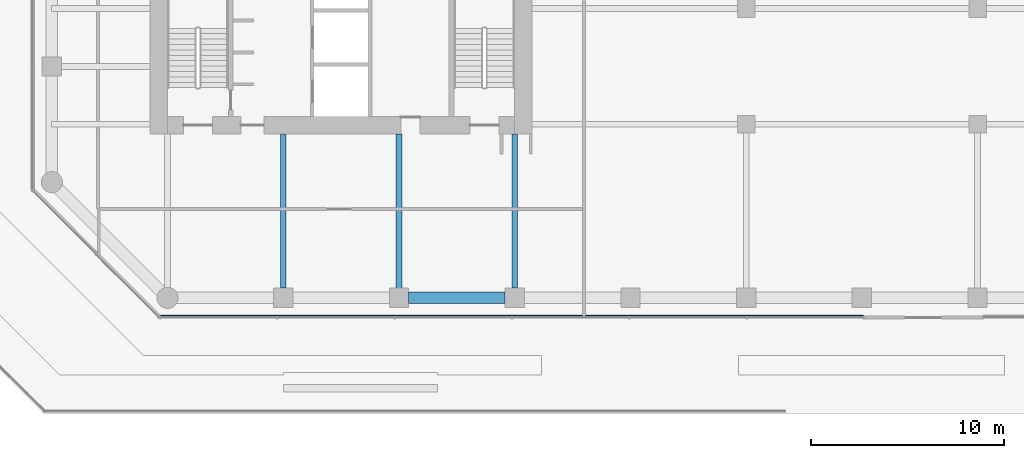
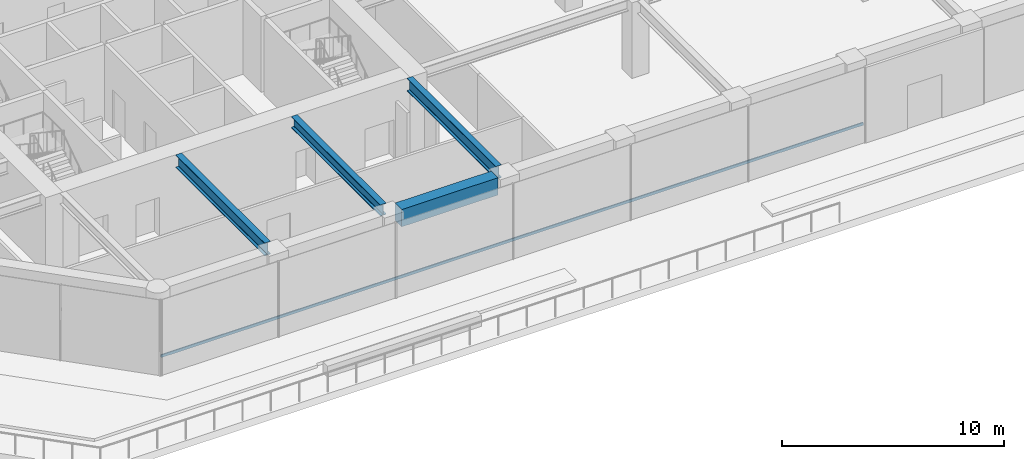
# One storey, part 3 of 31: 4 beams, 1 member, 1 element without a shape of its own.
"""IFC4 building model written with IfcOpenShell, lengths in metres."""

from ifc_helpers import new_model, si_unit, direction, frame, origin, origin_2d, place, context, subcontext, project, spatial, rectangle, i_section, extrude, material, layer, layer_set, material_profile, profile_set, type_object, element, aggregate, save


model = new_model("IFC4")

# Units and contexts
model_context = context("Model", 3, precision=1e-05, world=origin(), true_north=direction((0.0, 1.0)))
body_context = subcontext(model_context, "Body", "Model", "MODEL_VIEW")
ifc_project = project(units=[si_unit("LENGTHUNIT", "METRE"), si_unit("AREAUNIT", "SQUARE_METRE"), si_unit("VOLUMEUNIT", "CUBIC_METRE"), si_unit("PLANEANGLEUNIT", "RADIAN"), si_unit("MASSUNIT", "GRAM", prefix="KILO")], contexts=[model_context])

# Site, building, storey
site_placement = place(None, origin())
site = spatial("IfcSite", under=ifc_project, at=site_placement, CompositionType="ELEMENT")
building_placement = place(site_placement, origin())
building = spatial("IfcBuilding", under=site, at=building_placement, Name="Welwitschia Terrace Campus", CompositionType="ELEMENT")
storey_placement = place(building_placement, frame((0.0, 0.0, 11.0)))
storey = spatial("IfcBuildingStorey", under=building, at=storey_placement, Name="L02", CompositionType="ELEMENT", Elevation=11.0)

# Beams
ifc_material_1 = material(Name="Steel S355", Category="steel")
ifc_material_profile_1 = material_profile(ifc_material_1, i_section(OverallWidth=0.304931640625, OverallDepth=0.6201171875, WebThickness=0.02099609375, FlangeThickness=0.0400390625, FilletRadius=0.027099609375, at=origin_2d()))
ifc_profile_set_1 = profile_set([ifc_material_profile_1], Name="Steel S355")
beam_type_1 = type_object("IfcBeamType", Name="Interior girder HE 600 M", PredefinedType="BEAM", material=ifc_profile_set_1)
beam_1_placement = place(storey_placement, frame((18.0, -3.509521484375, 3.840087890625), z_axis=(0.0, 1.0, 0.0), x_axis=(-1.0, 0.0, 0.0)))
element("IfcBeam", 1, at=beam_1_placement, inside=storey, type_object=beam_type_1, Name="Girder GB1", PredefinedType="BEAM", context=body_context, shape_type="SweptSolid", body=[
    extrude(i_section(OverallWidth=0.304931640625, OverallDepth=0.6201171875, WebThickness=0.02099609375, FlangeThickness=0.0400390625, FilletRadius=0.027099609375, at=origin_2d()), origin(), (0.0, 0.0, 1.0), 8.008544921875),
])
ifc_material_2 = material(Name="Steel S355", Category="steel")
ifc_material_profile_2 = material_profile(ifc_material_2, i_section(OverallWidth=0.300048828125, OverallDepth=0.699951171875, WebThickness=0.01708984375, FlangeThickness=0.031982421875, FilletRadius=0.027099609375, at=origin_2d()))
ifc_profile_set_2 = profile_set([ifc_material_profile_2], Name="Steel S355")
beam_type_2 = type_object("IfcBeamType", Name="Primary beam HE 700 B", PredefinedType="BEAM", material=ifc_profile_set_2)
for number, where, z_axis, x_axis, name in (
    (2, (12.0, -3.49951171875, 3.800048828125), (0.0, 1.0, 0.0), (-1.0, 0.0, 0.0), "Primary beam PB1"),
    (3, (24.0, -3.49951171875, 3.800048828125), (0.0, 1.0, 0.0), (-1.0, 0.0, 0.0), "Primary beam PB1"),
):
    element("IfcBeam", number, at=place(storey_placement, frame(where, z_axis=z_axis, x_axis=x_axis)), inside=storey, type_object=beam_type_2, Name=name, PredefinedType="BEAM", context=body_context, shape_type="SweptSolid", body=[
        extrude(i_section(OverallWidth=0.300048828125, OverallDepth=0.699951171875, WebThickness=0.01708984375, FlangeThickness=0.031982421875, FilletRadius=0.027099609375, at=origin_2d()), origin(), (0.0, 0.0, 1.0), 7.99951171875),
    ])
ifc_material_3 = material(Name="Concrete C60/75", Category="concrete")
ifc_material_profile_3 = material_profile(ifc_material_3, rectangle(XDim=0.60009765625, YDim=0.949951171875, at=origin_2d()))
ifc_profile_set_3 = profile_set([ifc_material_profile_3], Name="Concrete C60/75")
beam_type_3 = type_object("IfcBeamType", Name="Ring spandrel 600x950", PredefinedType="SPANDREL", material=ifc_profile_set_3)
beam_2_placement = place(storey_placement, frame((18.50048828125, -4.0, 3.675048828125), z_axis=(1.0, 0.0, 0.0), x_axis=(0.0, 1.0, 0.0)))
element("IfcBeam", 4, at=beam_2_placement, inside=storey, type_object=beam_type_3, Name="Spandrel SP1", PredefinedType="SPANDREL", context=body_context, shape_type="SweptSolid", body=[
    extrude(rectangle(XDim=0.60009765625, YDim=0.949951171875, at=origin_2d()), origin(), (0.0, 0.0, 1.0), 4.9990234375),
])

# Curtain wall, member
ifc_material_4 = material(Name="Bronze anodised aluminium", Category="aluminium")
ifc_layer = layer(ifc_material_4, 0.1201171875)
ifc_layer_set = layer_set([ifc_layer], Name="Bronze anodised aluminium")
curtain_wall_type = type_object("IfcCurtainWallType", Name="Curtain wall CW2 tower 6000", PredefinedType="NOTDEFINED", material=ifc_layer_set)
curtain_wall_placement = place(storey_placement, origin())
curtain_wall = element("IfcCurtainWall", 5, at=curtain_wall_placement, inside=storey, type_object=curtain_wall_type, Name="CW L02.1.0", PredefinedType="NOTDEFINED")
ifc_material_5 = material(Name="Bronze anodised aluminium", Category="aluminium")
ifc_material_profile_4 = material_profile(ifc_material_5, rectangle(XDim=0.06005859375, YDim=0.14990234375, at=origin_2d()))
ifc_profile_set_4 = profile_set([ifc_material_profile_4], Name="Bronze anodised aluminium")
member_type = type_object("IfcMemberType", Name="Transom 60x150", PredefinedType="USERDEFINED", material=ifc_profile_set_4)
member_placement = place(storey_placement, frame((5.637451171875, -4.929931640625, 1.0), z_axis=(1.0, 0.0, 0.0), x_axis=(0.0, 1.0, 0.0)))
member = element("IfcMember", 6, at=member_placement, type_object=member_type, Name="Transom L02.1.0", ObjectType="TRANSOM", PredefinedType="USERDEFINED", context=body_context, shape_type="SweptSolid", body=[
    extrude(rectangle(XDim=0.06005859375, YDim=0.14990234375, at=origin_2d()), origin(), (0.0, 0.0, 1.0), 36.443359375),
])
aggregate(curtain_wall, [member])

save(model, "model.ifc")
